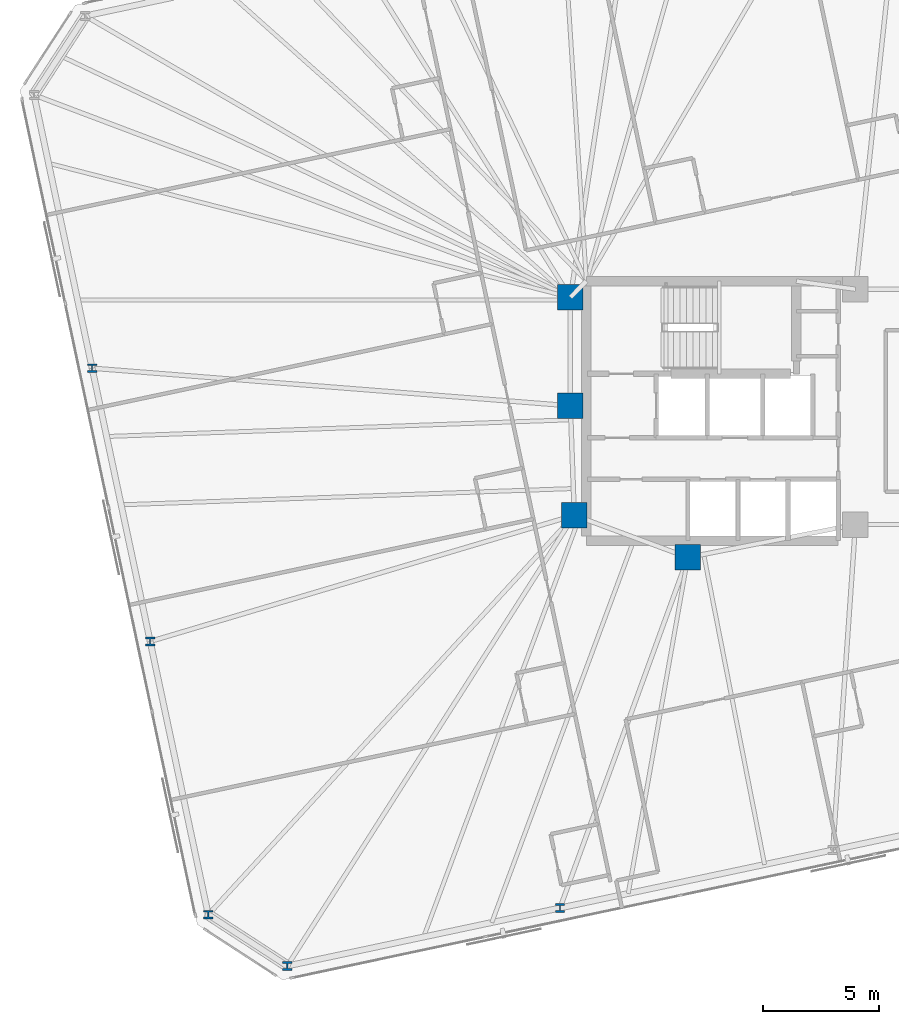
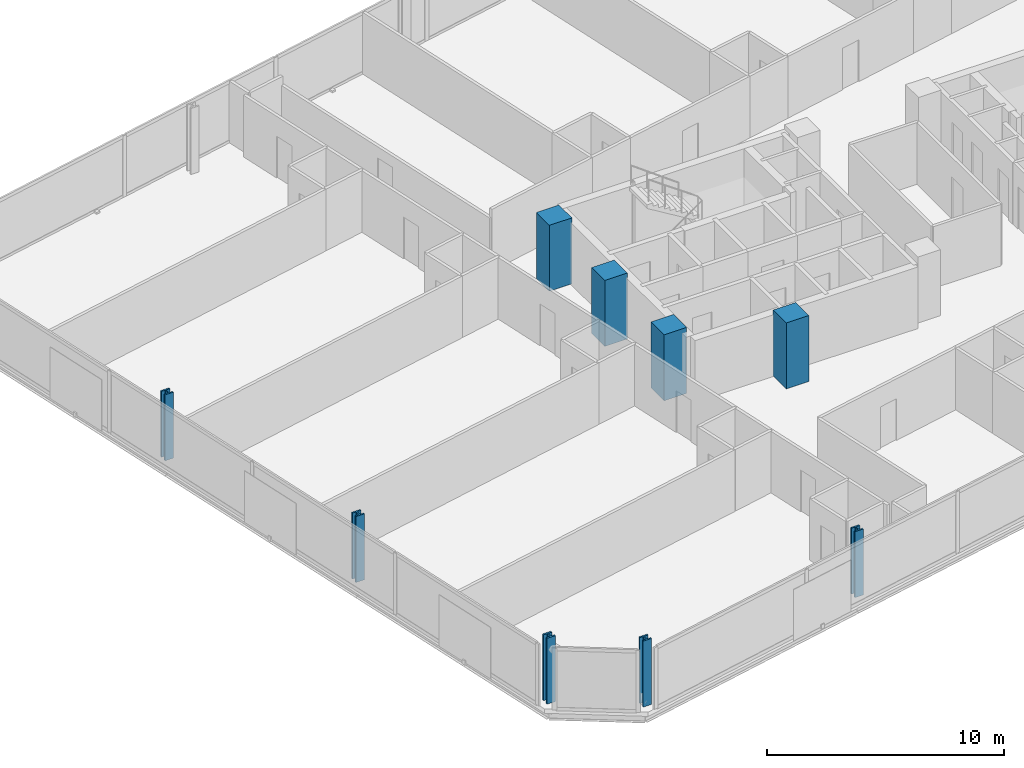
# One storey, part 1 of 19: 9 columns.
"""IFC4 building model written with IfcOpenShell, lengths in metres."""

from ifc_helpers import new_model, si_unit, direction, frame, origin, origin_2d, place, context, subcontext, project, spatial, rectangle, i_section, extrude, material, material_profile, profile_set, type_object, element, save


model = new_model("IFC4")

# Units and contexts
model_context = context("Model", 3, precision=1e-05, world=origin(), true_north=direction((0.0, 1.0)))
body_context = subcontext(model_context, "Body", "Model", "MODEL_VIEW")
ifc_project = project(units=[si_unit("LENGTHUNIT", "METRE"), si_unit("AREAUNIT", "SQUARE_METRE"), si_unit("VOLUMEUNIT", "CUBIC_METRE"), si_unit("PLANEANGLEUNIT", "RADIAN"), si_unit("MASSUNIT", "GRAM", prefix="KILO")], contexts=[model_context])

# Site, building, storey
site_placement = place(None, origin())
site = spatial("IfcSite", under=ifc_project, at=site_placement, CompositionType="ELEMENT")
building_placement = place(site_placement, origin())
building = spatial("IfcBuilding", under=site, at=building_placement, Name="Menara Jurai Vektor", CompositionType="ELEMENT")
storey_placement = place(building_placement, frame((0.0, 0.0, 161.60009765625)))
storey = spatial("IfcBuildingStorey", under=building, at=storey_placement, Name="L41", CompositionType="ELEMENT", Elevation=161.60009765625)

# Columns
ifc_material_1 = material(Name="Concrete C50/60", Category="concrete")
ifc_material_profile_1 = material_profile(ifc_material_1, rectangle(XDim=1.10009765625, YDim=1.10009765625, at=origin_2d()), Name="RC 1100x1100")
ifc_profile_set_1 = profile_set([ifc_material_profile_1], Name="Concrete C50/60")
column_type_1 = type_object("IfcColumnType", Name="STR-COL-RC1100", PredefinedType="COLUMN", material=ifc_profile_set_1)
for number, where, z_axis, x_axis, name in (
    (1, (-15.25, 4.89990234375, 0.0), (0.0, 0.0, 1.0), (1.0, 0.0, 0.0), "Core Spine Column CW-NW L41"),
    (2, (-15.25, 0.219970703125, 0.0), (0.0, 0.0, 1.0), (1.0, 0.0, 0.0), "Core Spine Column CW-WM L41"),
    (3, (-15.080078125, -4.5, 0.0), (0.0, 0.0, 1.0), (1.0, 0.0, 0.0), "Core Spine Column CW-SW L41"),
    (4, (-10.179931640625, -6.320068359375, 0.0), (0.0, 0.0, 1.0), (1.0, 0.0, 0.0), "Core Spine Column CW-SM L41"),
):
    element("IfcColumn", number, at=place(storey_placement, frame(where, z_axis=z_axis, x_axis=x_axis)), inside=storey, type_object=column_type_1, Name=name, PredefinedType="COLUMN", context=body_context, shape_type="SweptSolid", body=[
        extrude(rectangle(XDim=1.10009765625, YDim=1.10009765625, at=origin_2d()), origin(), (0.0, 0.0, 1.0), 3.39990234375),
    ])
ifc_material_2 = material(Name="Steel S460", Category="steel")
ifc_material_profile_2 = material_profile(ifc_material_2, i_section(OverallWidth=0.408935546875, OverallDepth=0.3740234375, WebThickness=0.048095703125, FlangeThickness=0.076904296875, FilletRadius=0.014892578125, at=origin_2d()), Name="HD 400x634")
ifc_profile_set_2 = profile_set([ifc_material_profile_2], Name="Steel S460")
column_type_2 = type_object("IfcColumnType", Name="STR-EXO-BLK3", PredefinedType="COLUMN", material=ifc_profile_set_2)
for number, where, z_axis, x_axis, name in (
    (5, (-27.46484375, -23.94580078125, 0.0), (0.0, 0.0, 1.0), (1.0, 0.0, 0.0), "Exoskeleton Column BLK3-S1 L41"),
    (6, (-15.696533203125, -21.4443359375, 0.0), (0.0, 0.0, 1.0), (1.0, 0.0, 0.0), "Exoskeleton Column BLK3-S2 L41"),
    (7, (-35.8828125, 1.843505859375, 0.0), (0.0, 0.0, 1.0), (1.0, 0.0, 0.0), "Exoskeleton Column BLK3-W2 L41"),
    (8, (-33.377197265625, -9.945068359375, 0.0), (0.0, 0.0, 1.0), (1.0, 0.0, 0.0), "Exoskeleton Column BLK3-W3 L41"),
    (9, (-30.871337890625, -21.7333984375, 0.0), (0.0, 0.0, 1.0), (1.0, 0.0, 0.0), "Exoskeleton Column BLK3-W4 L41"),
):
    element("IfcColumn", number, at=place(storey_placement, frame(where, z_axis=z_axis, x_axis=x_axis)), inside=storey, type_object=column_type_2, Name=name, PredefinedType="COLUMN", context=body_context, shape_type="SweptSolid", body=[
        extrude(i_section(OverallWidth=0.408935546875, OverallDepth=0.3740234375, WebThickness=0.048095703125, FlangeThickness=0.076904296875, FilletRadius=0.014892578125, at=origin_2d()), origin(), (0.0, 0.0, 1.0), 3.39990234375),
    ])

save(model, "model.ifc")
